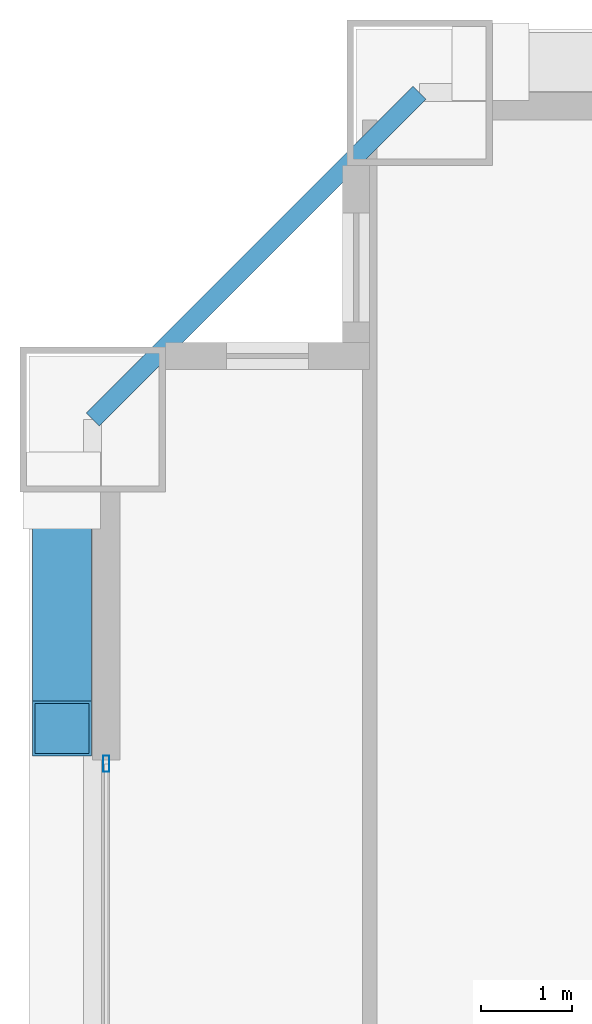
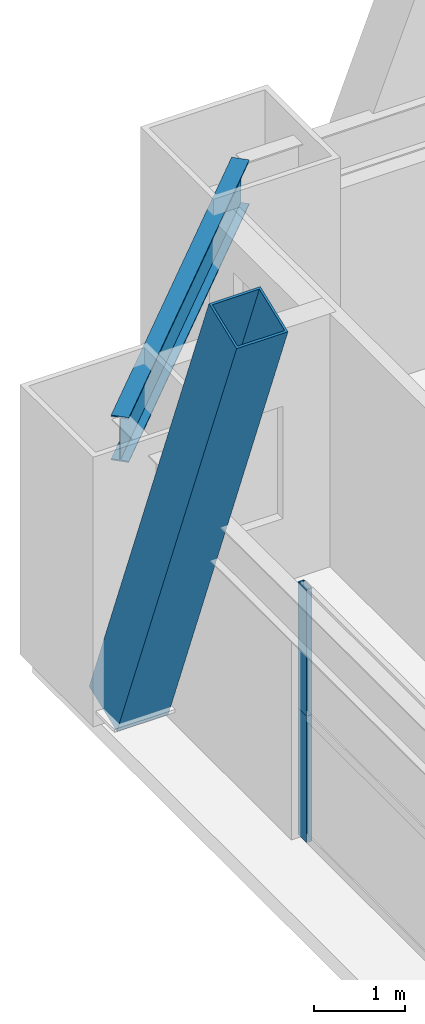
# One storey, part 25 of 43: 3 members, 1 beam, 1 element without a shape of its own.
"""IFC4 building model written with IfcOpenShell, lengths in metres."""

from ifc_helpers import new_model, si_unit, direction, frame, origin, origin_2d, place, context, subcontext, project, spatial, hollow_rectangle, i_section, extrude, source, transform, mapped, material, layer, layer_set, material_profile, profile_set, type_object, element, aggregate, save


model = new_model("IFC4")

# Units and contexts
model_context = context("Model", 3, precision=1e-05, world=origin(), true_north=direction((0.0, 1.0)))
body_context = subcontext(model_context, "Body", "Model", "MODEL_VIEW")
ifc_project = project(units=[si_unit("LENGTHUNIT", "METRE"), si_unit("AREAUNIT", "SQUARE_METRE"), si_unit("VOLUMEUNIT", "CUBIC_METRE"), si_unit("PLANEANGLEUNIT", "RADIAN"), si_unit("MASSUNIT", "GRAM", prefix="KILO"), si_unit("THERMODYNAMICTEMPERATUREUNIT", "KELVIN"), si_unit("POWERUNIT", "WATT")], contexts=[model_context])

# Site, building, storey
site_placement = place(None, origin())
site = spatial("IfcSite", under=ifc_project, at=site_placement, CompositionType="ELEMENT")
building_placement = place(site_placement, origin())
building = spatial("IfcBuilding", under=site, at=building_placement, Name="Yuzanri Waterfront Tower", CompositionType="ELEMENT")
storey_placement = place(building_placement, frame((0.0, 0.0, 101.0)))
storey = spatial("IfcBuildingStorey", under=building, at=storey_placement, Name="L26", CompositionType="ELEMENT", Elevation=101.0)

# Beam
ifc_material_1 = material(Name="Steel Q355B", Category="steel")
ifc_material_profile_1 = material_profile(ifc_material_1, i_section(OverallWidth=0.199951171875, OverallDepth=0.60009765625, WebThickness=0.010986328125, FlangeThickness=0.01708984375, at=origin_2d()), Name="HN 600x200x11x17")
ifc_profile_set_1 = profile_set([ifc_material_profile_1], Name="Steel Q355B")
beam_type = type_object("IfcBeamType", Name="Perimeter Spandrel Q355B HN 600x200", PredefinedType="SPANDREL", material=ifc_profile_set_1)
shared_shape_1 = source(origin(), body_context, "Body", "SweptSolid", [
    extrude(i_section(OverallWidth=0.199951171875, OverallDepth=0.60009765625, WebThickness=0.010986328125, FlangeThickness=0.01708984375, at=origin_2d()), origin(), (0.0, 0.0, 1.0), 5.091064453125),
])
beam_placement = place(storey_placement, frame((17.0, 49.39990234375, 3.080078125), z_axis=(-0.707130757816, -0.707082803744, 0.0), x_axis=(0.707082803744, -0.707130757816, 0.0)))
element("IfcBeam", 1, at=beam_placement, inside=storey, type_object=beam_type, Name="L26 Perimeter Spandrel N1-W3", PredefinedType="SPANDREL", context=body_context, shape_type="MappedRepresentation", body=[
    mapped(shared_shape_1, transform((0.0, 0.0, 0.0), scale=1.0)),
])

# Member
ifc_material_2 = material(Name="Steel Q420GJC", Category="steel")
ifc_material_profile_2 = material_profile(ifc_material_2, hollow_rectangle(XDim=0.64990234375, YDim=0.64990234375, WallThickness=0.028076171875, at=origin_2d()), Name="RHS 650x650x28")
ifc_profile_set_2 = profile_set([ifc_material_profile_2], Name="Steel Q420GJC")
member_type_1 = type_object("IfcMemberType", Name="Mega Brace Lower Q420GJC RHS 650x650x28", PredefinedType="BRACE", material=ifc_profile_set_2)
shared_shape_2 = source(origin(), body_context, "Body", "SweptSolid", [
    extrude(hollow_rectangle(XDim=0.64990234375, YDim=0.64990234375, WallThickness=0.028076171875, at=origin_2d()), origin(), (0.0, 0.0, 1.0), 7.194091796875),
])
member_1_placement = place(storey_placement, frame((13.06005859375, 45.02001953125, 0.179931640625), z_axis=(0.0, -0.36420612543, 0.931318365651), x_axis=(1.0, 0.0, 0.0)))
element("IfcMember", 2, at=member_1_placement, inside=storey, type_object=member_type_1, Name="L26-L27 Perimeter Mega-Brace W-R", PredefinedType="BRACE", context=body_context, shape_type="MappedRepresentation", body=[
    mapped(shared_shape_2, transform((0.0, 0.0, 0.0), scale=1.0)),
])

# Curtain wall, members
ifc_material_3 = material(Name="Anodized Architectural Bronze", Category="metal")
ifc_layer = layer(ifc_material_3, 0.159912109375)
ifc_layer_set = layer_set([ifc_layer], Name="Anodized Architectural Bronze")
curtain_wall_type = type_object("IfcCurtainWallType", Name="Anodized Bronze Hotel Upper-Tier Solar-Control Unitized Curtain Wall 7800", PredefinedType="NOTDEFINED", material=ifc_layer_set)
curtain_wall_placement = place(storey_placement, origin())
curtain_wall = element("IfcCurtainWall", 3, at=curtain_wall_placement, inside=storey, type_object=curtain_wall_type, Name="L26 Curtain Wall CW-L26-WR", PredefinedType="NOTDEFINED")
ifc_material_4 = material(Name="Anodized Architectural Bronze", Category="metal")
ifc_material_profile_3 = material_profile(ifc_material_4, hollow_rectangle(XDim=0.070068359375, YDim=0.179931640625, WallThickness=0.00390625, at=origin_2d()), Name="CWM 70x180")
ifc_profile_set_3 = profile_set([ifc_material_profile_3], Name="Anodized Architectural Bronze")
member_type_2 = type_object("IfcMemberType", Name="Anodized Bronze Standard Curtain-Wall Mullion 70x180", PredefinedType="MULLION", material=ifc_profile_set_3)
shared_shape_3 = source(origin(), body_context, "Body", "SweptSolid", [
    extrude(hollow_rectangle(XDim=0.070068359375, YDim=0.179931640625, WallThickness=0.00390625, at=origin_2d()), origin(), (0.0, 0.0, 1.0), 1.68798828125),
])
member_2_placement = place(storey_placement, frame((13.550048828125, 42.010009765625, 0.0), z_axis=(0.0, 0.0, 1.0), x_axis=(1.0, 0.0, 0.0)))
member_2 = element("IfcMember", 4, at=member_2_placement, type_object=member_type_2, Name="CW-L26-WR Lower Mullion 02", PredefinedType="MULLION", context=body_context, shape_type="MappedRepresentation", body=[
    mapped(shared_shape_3, transform((0.0, 0.0, 0.0), scale=1.0)),
])
member_3_placement = place(storey_placement, frame((13.550048828125, 42.010009765625, 1.69189453125), z_axis=(0.0, 0.0, 1.0), x_axis=(1.0, 0.0, 0.0)))
member_3 = element("IfcMember", 5, at=member_3_placement, type_object=member_type_2, Name="CW-L26-WR Upper Mullion 02", PredefinedType="MULLION", context=body_context, shape_type="MappedRepresentation", body=[
    mapped(shared_shape_3, transform((0.0, 0.0, 0.0), scale=1.0)),
])
aggregate(curtain_wall, [member_2, member_3])

save(model, "model.ifc")
